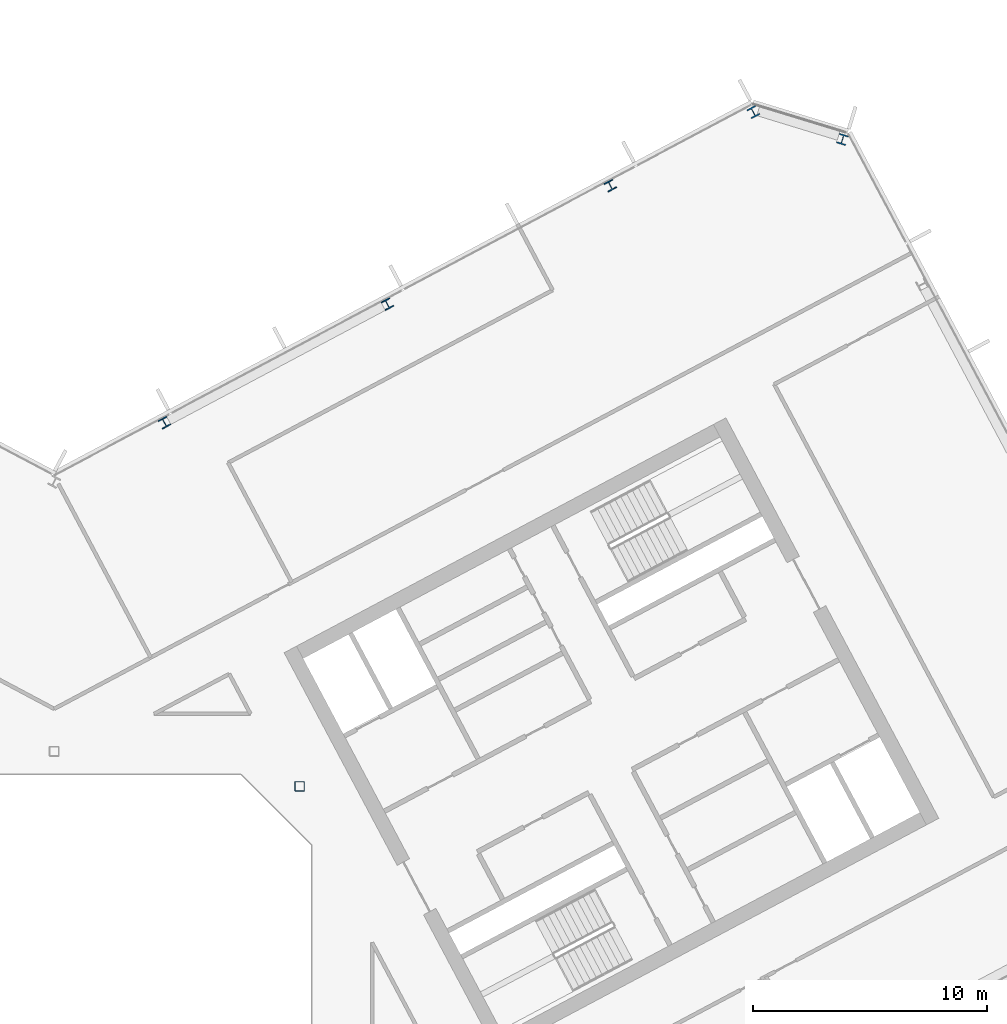
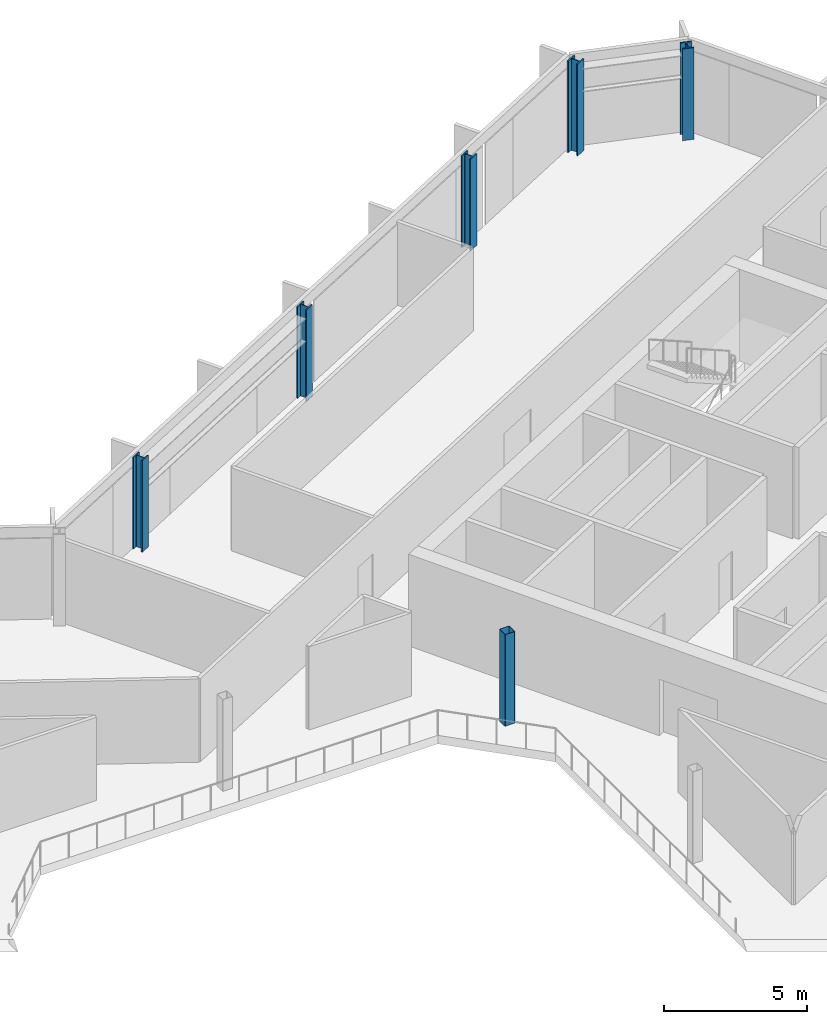
# One storey, part 6 of 27: 6 columns.
"""IFC4 building model written with IfcOpenShell, lengths in metres."""

from ifc_helpers import new_model, si_unit, direction, frame, origin, origin_2d, place, context, subcontext, project, spatial, hollow_rectangle, i_section, extrude, material, material_profile, profile_set, type_object, element, save


model = new_model("IFC4")

# Units and contexts
model_context = context("Model", 3, precision=1e-05, world=origin(), true_north=direction((0.0, 1.0)))
body_context = subcontext(model_context, "Body", "Model", "MODEL_VIEW")
ifc_project = project(units=[si_unit("LENGTHUNIT", "METRE"), si_unit("AREAUNIT", "SQUARE_METRE"), si_unit("VOLUMEUNIT", "CUBIC_METRE"), si_unit("PLANEANGLEUNIT", "RADIAN"), si_unit("MASSUNIT", "GRAM", prefix="KILO")], contexts=[model_context])

# Site, building, storey
site_placement = place(None, origin())
site = spatial("IfcSite", under=ifc_project, at=site_placement, CompositionType="ELEMENT")
building_placement = place(site_placement, origin())
building = spatial("IfcBuilding", under=site, at=building_placement, Name="Cormorant Relay Tower", CompositionType="ELEMENT")
storey_placement = place(building_placement, frame((0.0, 0.0, 224.699951171875)))
storey = spatial("IfcBuildingStorey", under=building, at=storey_placement, Name="L49", CompositionType="ELEMENT", Elevation=224.699951171875)

# Columns
ifc_material_1 = material(Name="Steel ASTM A500 Grade C (Fy 345 MPa)", Category="steel")
ifc_material_profile_1 = material_profile(ifc_material_1, hollow_rectangle(XDim=0.406494140625, YDim=0.406494140625, WallThickness=0.0146484375, InnerFilletRadius=0.00732421875, OuterFilletRadius=0.022216796875, at=origin_2d()), Name="HSS406x406x15")
ifc_profile_set_1 = profile_set([ifc_material_profile_1], Name="Steel ASTM A500 Grade C (Fy 345 MPa)")
column_type_1 = type_object("IfcColumnType", Name="Column HSS406x406x15", PredefinedType="COLUMN", material=ifc_profile_set_1)
column_placement = place(storey_placement, frame((10.5, 10.5, 0.0), z_axis=(0.0, 0.0, 1.0), x_axis=(1.0, 0.0, 0.0)))
element("IfcColumn", 1, at=column_placement, inside=storey, type_object=column_type_1, Name="Column L49-024", PredefinedType="COLUMN", context=body_context, shape_type="SweptSolid", body=[
    extrude(hollow_rectangle(XDim=0.406494140625, YDim=0.406494140625, WallThickness=0.0146484375, InnerFilletRadius=0.00732421875, OuterFilletRadius=0.022216796875, at=origin_2d()), origin(), (0.0, 0.0, 1.0), 3.900146484375),
])
ifc_material_2 = material(Name="Steel ASTM A992 (Fy 345 MPa)", Category="steel")
ifc_material_profile_2 = material_profile(ifc_material_2, i_section(OverallWidth=0.40380859375, OverallDepth=0.406494140625, WebThickness=0.027099609375, FlangeThickness=0.043701171875, FilletRadius=0.01513671875, at=origin_2d()), Name="W360x347")
ifc_profile_set_2 = profile_set([ifc_material_profile_2], Name="Steel ASTM A992 (Fy 345 MPa)")
column_type_2 = type_object("IfcColumnType", Name="Column W360x347", PredefinedType="COLUMN", material=ifc_profile_set_2)
for number, where, z_axis, x_axis, name in (
    (2, (4.719970703125, 26.055908203125, 0.0), (0.0, 0.0, 1.0), (-0.882947592859, -0.469471562786, 0.0), "Column L49-032"),
    (3, (14.256103515625, 31.1259765625, 0.0), (0.0, 0.0, 1.0), (-0.882947592859, -0.469471562786, 0.0), "Column L49-035"),
    (4, (23.7919921875, 36.196044921875, 0.0), (0.0, 0.0, 1.0), (-0.882947592859, -0.469471562786, 0.0), "Column L49-039"),
):
    element("IfcColumn", number, at=place(storey_placement, frame(where, z_axis=z_axis, x_axis=x_axis)), inside=storey, type_object=column_type_2, Name=name, PredefinedType="COLUMN", context=body_context, shape_type="SweptSolid", body=[
        extrude(i_section(OverallWidth=0.40380859375, OverallDepth=0.406494140625, WebThickness=0.027099609375, FlangeThickness=0.043701171875, FilletRadius=0.01513671875, at=origin_2d()), origin(), (0.0, 0.0, 1.0), 3.900146484375),
    ])
ifc_material_3 = material(Name="Steel ASTM A992 (Fy 345 MPa)", Category="steel")
ifc_material_profile_3 = material_profile(ifc_material_3, i_section(OverallWidth=0.41162109375, OverallDepth=0.434326171875, WebThickness=0.035888671875, FlangeThickness=0.057373046875, FilletRadius=0.01513671875, at=origin_2d()), Name="W360x463")
ifc_profile_set_3 = profile_set([ifc_material_profile_3], Name="Steel ASTM A992 (Fy 345 MPa)")
column_type_3 = type_object("IfcColumnType", Name="Column W360x463", PredefinedType="COLUMN", material=ifc_profile_set_3)
for number, where, z_axis, x_axis, name in (
    (5, (33.720947265625, 38.173095703125, 0.0), (0.0, 0.0, 1.0), (-0.956304755963, 0.292371704723, 0.0), "Column L49-041"),
    (6, (29.905029296875, 39.340087890625, 0.0), (0.0, 0.0, 1.0), (-0.882947592859, -0.469471562786, 0.0), "Column L49-043"),
):
    element("IfcColumn", number, at=place(storey_placement, frame(where, z_axis=z_axis, x_axis=x_axis)), inside=storey, type_object=column_type_3, Name=name, PredefinedType="COLUMN", context=body_context, shape_type="SweptSolid", body=[
        extrude(i_section(OverallWidth=0.41162109375, OverallDepth=0.434326171875, WebThickness=0.035888671875, FlangeThickness=0.057373046875, FilletRadius=0.01513671875, at=origin_2d()), origin(), (0.0, 0.0, 1.0), 3.900146484375),
    ])

save(model, "model.ifc")
